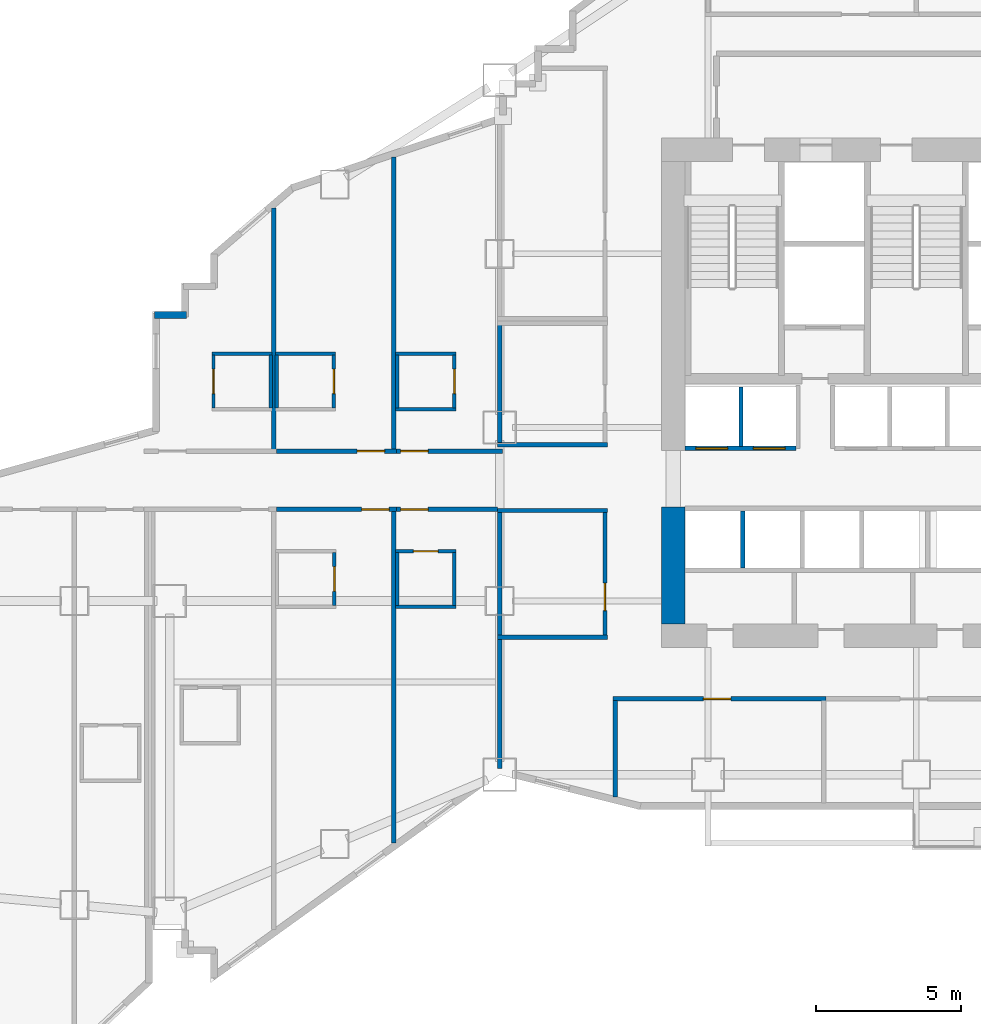
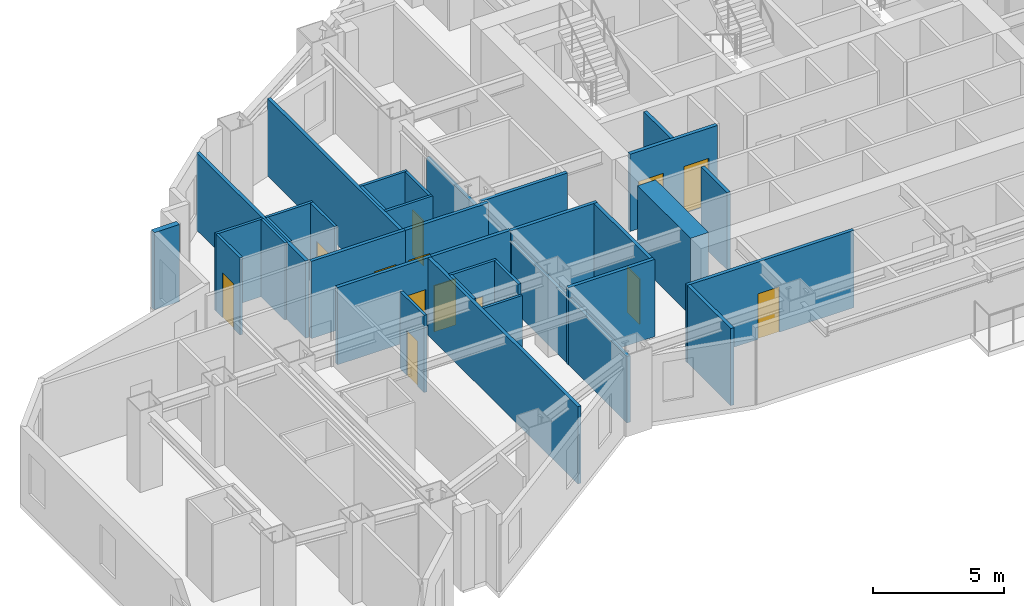
# One storey, part 8 of 17: 36 walls, 13 doors, 13 openings.
"""IFC4 building model written with IfcOpenShell, lengths in metres."""

from ifc_helpers import new_model, si_unit, direction, frame, frame_2d, origin, place, context, subcontext, project, spatial, rectangle, extrude, material, layer, layer_set, type_object, element, fill, save


model = new_model("IFC4")

# Units and contexts
model_context = context("Model", 3, precision=1e-05, world=origin(), true_north=direction((0.0, 1.0)))
body_context = subcontext(model_context, "Body", "Model", "MODEL_VIEW")
ifc_project = project(units=[si_unit("LENGTHUNIT", "METRE"), si_unit("AREAUNIT", "SQUARE_METRE"), si_unit("VOLUMEUNIT", "CUBIC_METRE"), si_unit("PLANEANGLEUNIT", "RADIAN"), si_unit("MASSUNIT", "GRAM", prefix="KILO")], contexts=[model_context])

# Site, building, storey
site_placement = place(None, origin())
site = spatial("IfcSite", under=ifc_project, at=site_placement, CompositionType="ELEMENT")
building_placement = place(site_placement, origin())
building = spatial("IfcBuilding", under=site, at=building_placement, Name="Haolan Belvedere Tower", CompositionType="ELEMENT")
storey_placement = place(building_placement, frame((0.0, 0.0, 81.800048828125)))
storey = spatial("IfcBuildingStorey", under=building, at=storey_placement, Name="L20", CompositionType="ELEMENT", Elevation=81.800048828125)

# Walls
ifc_material_1 = material(Name="Concrete C70/85", Category="concrete")
ifc_layer_1 = layer(ifc_material_1, 0.800048828125, Name="Concrete C70/85")
ifc_layer_set_1 = layer_set([ifc_layer_1], Name="Concrete C70/85")
wall_type_1 = type_object("IfcWallType", Name="WL-CORE-800", PredefinedType="SHEAR", material=ifc_layer_set_1)
wall_1_placement = place(storey_placement, frame((30.0, 26.800048828125, 0.0), z_axis=(0.0, 0.0, 1.0), x_axis=(0.0, 1.0, 0.0)))
element("IfcWall", 1, at=wall_1_placement, inside=storey, type_object=wall_type_1, Name="L20 central core shear wall WS", PredefinedType="SHEAR", context=body_context, shape_type="SweptSolid", body=[
    extrude(rectangle(XDim=4.050048828125, YDim=0.800048828125, at=frame_2d((2.02490234375, 0.0))), origin(), (0.0, 0.0, 1.0), 3.599853515625),
])
ifc_material_2 = material(Name="Precast concrete C40/50", Category="concrete")
ifc_layer_2 = layer(ifc_material_2, 0.239990234375, Name="Precast concrete C40/50")
ifc_layer_set_2 = layer_set([ifc_layer_2], Name="Precast concrete C40/50")
wall_type_2 = type_object("IfcWallType", Name="WL-EXT-240", PredefinedType="SOLIDWALL", material=ifc_layer_set_2)
wall_2_placement = place(storey_placement, frame((13.175048828125, 37.47998046875, 0.0), z_axis=(0.0, 0.0, 1.0), x_axis=(-1.0, 0.0, 0.0)))
element("IfcWall", 2, at=wall_2_placement, inside=storey, type_object=wall_type_2, Name="L20 pale-metal exterior spandrel wall 55.1", PredefinedType="SOLIDWALL", context=body_context, shape_type="SweptSolid", body=[
    extrude(rectangle(XDim=1.110107421875, YDim=0.239990234375, at=frame_2d((0.55517578125, 0.0))), origin(), (0.0, 0.0, 1.0), 3.599853515625),
])
ifc_material_3 = material(Name="Double gypsum acoustic stud partition", Category="masonry")
ifc_layer_3 = layer(ifc_material_3, 0.14990234375, Name="Double gypsum acoustic stud partition")
ifc_layer_set_3 = layer_set([ifc_layer_3], Name="Double gypsum acoustic stud partition")
wall_type_3 = type_object("IfcWallType", Name="WL-PART-150", PredefinedType="PARTITIONING", material=ifc_layer_set_3)
wall_3_placement = place(storey_placement, frame((23.919921875, 33.0, 0.0), z_axis=(0.0, 0.0, 1.0), x_axis=(1.0, 0.0, 0.0)))
element("IfcWall", 3, at=wall_3_placement, inside=storey, type_object=wall_type_3, Name="L20 interior partition IW-L20-HSK-S", PredefinedType="PARTITIONING", context=body_context, shape_type="SweptSolid", body=[
    extrude(rectangle(XDim=3.800048828125, YDim=0.14990234375, at=frame_2d((1.89990234375, 0.0))), origin(), (0.0, 0.0, 1.0), 3.599853515625),
])
wall_4_placement = place(storey_placement, frame((24.0, 33.06005859375, 0.0), z_axis=(0.0, 0.0, 1.0), x_axis=(0.0, 1.0, 0.0)))
element("IfcWall", 4, at=wall_4_placement, inside=storey, type_object=wall_type_3, Name="L20 interior partition IW-L20-HSK-W", PredefinedType="PARTITIONING", context=body_context, shape_type="SweptSolid", body=[
    extrude(rectangle(XDim=4.079833984375, YDim=0.14990234375, at=frame_2d((2.0400390625, 0.0))), origin(), (0.0, 0.0, 1.0), 3.096923828125),
])
for number, where, z_axis, x_axis, name in (
    (5, (23.919921875, 30.72998046875, 0.0), (0.0, 0.0, 1.0), (1.0, 0.0, 0.0), "L20 interior partition IW-L20-PKTW-N"),
    (6, (23.919921875, 26.35009765625, 0.0), (0.0, 0.0, 1.0), (1.0, 0.0, 0.0), "L20 interior partition IW-L20-PKTW-S"),
):
    element("IfcWall", number, at=place(storey_placement, frame(where, z_axis=z_axis, x_axis=x_axis)), inside=storey, type_object=wall_type_3, Name=name, PredefinedType="PARTITIONING", context=body_context, shape_type="SweptSolid", body=[
        extrude(rectangle(XDim=3.800048828125, YDim=0.14990234375, at=frame_2d((1.89990234375, 0.0))), origin(), (0.0, 0.0, 1.0), 3.599853515625),
    ])
wall_5_placement = place(storey_placement, frame((24.0, 26.409912109375, 0.0), z_axis=(0.0, 0.0, 1.0), x_axis=(0.0, 1.0, 0.0)))
element("IfcWall", 7, at=wall_5_placement, inside=storey, type_object=wall_type_3, Name="L20 interior partition IW-L20-PKTW-W", PredefinedType="PARTITIONING", context=body_context, shape_type="SweptSolid", body=[
    extrude(rectangle(XDim=4.260009765625, YDim=0.14990234375, at=frame_2d((2.1298828125, 0.0))), origin(), (0.0, 0.0, 1.0), 3.096923828125),
])

# Wall, opening, door
wall_6_placement = place(storey_placement, frame((27.639892578125, 26.409912109375, 0.0), z_axis=(0.0, 0.0, 1.0), x_axis=(0.0, 1.0, 0.0)))
wall_6 = element("IfcWall", 8, at=wall_6_placement, inside=storey, type_object=wall_type_3, Name="L20 interior partition IW-L20-PKTW-E", PredefinedType="PARTITIONING", context=body_context, shape_type="SweptSolid", body=[
    extrude(rectangle(XDim=4.260009765625, YDim=0.14990234375, at=frame_2d((2.1298828125, 0.0))), origin(), (0.0, 0.0, 1.0), 3.599853515625),
])
opening_1_placement = place(wall_6_placement, frame((1.81005859375, 0.0, 0.0), z_axis=(0.0, 0.0, 1.0), x_axis=(-1.0, 0.0, 0.0)))
opening_1 = element("IfcOpeningElement", 9, at=opening_1_placement, cuts=wall_6, Name="Opening ID-03", PredefinedType="OPENING", context=body_context, shape_type="SweptSolid", body=[
    extrude(rectangle(XDim=0.949951171875, YDim=2.1201171875, at=frame_2d((0.47509765625, 1.06005859375))), frame((0.0, 0.0849609375, 0.0), z_axis=(0.0, -1.0, 0.0), x_axis=(1.0, 0.0, 0.0)), (0.0, 0.0, 1.0), 0.169921875),
])
ifc_material_4 = material(Name="Painted solid-core timber", Category="wood")
door_type_1 = type_object("IfcDoorType", Name="DR-INT-950", OperationType="NOTDEFINED", PredefinedType="DOOR", material=ifc_material_4)
door_1_placement = place(opening_1_placement, origin())
door_1 = element("IfcDoor", 10, at=door_1_placement, inside=storey, type_object=door_type_1, Name="L20 door ID-L20-PKTW", OperationType="SINGLE_SWING_LEFT", OverallHeight=2.1201171875, OverallWidth=0.949951171875, PredefinedType="DOOR", context=body_context, shape_type="SweptSolid", body=[
    extrude(rectangle(XDim=0.949951171875, YDim=2.1201171875, at=frame_2d((0.47509765625, 1.06005859375))), frame((0.0, 0.02490234375, 0.0), z_axis=(0.0, -1.0, 0.0), x_axis=(1.0, 0.0, 0.0)), (0.0, 0.0, 1.0), 0.050048828125),
])
fill(opening_1, door_1)

wall_7_placement = place(storey_placement, frame((27.919921875, 24.219970703125, 0.0), z_axis=(0.0, 0.0, 1.0), x_axis=(1.0, 0.0, 0.0)))
wall_7 = element("IfcWall", 11, at=wall_7_placement, inside=storey, type_object=wall_type_3, Name="L20 interior partition IW-L20-KS2-N", PredefinedType="PARTITIONING", context=body_context, shape_type="SweptSolid", body=[
    extrude(rectangle(XDim=7.360107421875, YDim=0.14990234375, at=frame_2d((3.68017578125, 0.0))), origin(), (0.0, 0.0, 1.0), 3.599853515625),
])
opening_2_placement = place(wall_7_placement, frame((4.074951171875, 0.0, 0.0), z_axis=(0.0, 0.0, 1.0), x_axis=(-1.0, 0.0, 0.0)))
opening_2 = element("IfcOpeningElement", 12, at=opening_2_placement, cuts=wall_7, Name="Opening ID-03", PredefinedType="OPENING", context=body_context, shape_type="SweptSolid", body=[
    extrude(rectangle(XDim=0.949951171875, YDim=2.1201171875, at=frame_2d((0.47509765625, 1.06005859375))), frame((0.0, 0.0849609375, 0.0), z_axis=(0.0, -1.0, 0.0), x_axis=(1.0, 0.0, 0.0)), (0.0, 0.0, 1.0), 0.169921875),
])
door_2_placement = place(opening_2_placement, origin())
door_2 = element("IfcDoor", 13, at=door_2_placement, inside=storey, type_object=door_type_1, Name="L20 door ID-L20-KS2", OperationType="SINGLE_SWING_LEFT", OverallHeight=2.1201171875, OverallWidth=0.949951171875, PredefinedType="DOOR", context=body_context, shape_type="SweptSolid", body=[
    extrude(rectangle(XDim=0.949951171875, YDim=2.1201171875, at=frame_2d((0.47509765625, 1.06005859375))), frame((0.0, 0.02490234375, 0.0), z_axis=(0.0, -1.0, 0.0), x_axis=(1.0, 0.0, 0.0)), (0.0, 0.0, 1.0), 0.050048828125),
])
fill(opening_2, door_2)

# Walls
wall_8_placement = place(storey_placement, frame((28.0, 20.83203125, 0.0), z_axis=(0.0, 0.0, 1.0), x_axis=(0.0, 1.0, 0.0)))
element("IfcWall", 14, at=wall_8_placement, inside=storey, type_object=wall_type_3, Name="L20 interior partition IW-L20-KS2-W", PredefinedType="PARTITIONING", context=body_context, shape_type="SweptSolid", body=[
    extrude(rectangle(XDim=3.327880859375, YDim=0.14990234375, at=frame_2d((1.6640625, 0.0))), origin(), (0.0, 0.0, 1.0), 3.599853515625),
])
wall_9_placement = place(storey_placement, frame((16.18994140625, 32.840087890625, 0.0), z_axis=(0.0, 0.0, 1.0), x_axis=(0.0, 1.0, 0.0)))
element("IfcWall", 15, at=wall_9_placement, inside=storey, type_object=wall_type_3, Name="L20 interior partition IW-L20-T2N1-E", PredefinedType="PARTITIONING", context=body_context, shape_type="SweptSolid", body=[
    extrude(rectangle(XDim=8.3408203125, YDim=0.14990234375, at=frame_2d((4.17041015625, 0.0))), origin(), (0.0, 0.0, 1.0), 3.599853515625),
])

# Wall, opening, door
wall_10_placement = place(storey_placement, frame((16.2919921875, 32.780029296875, 0.0), z_axis=(0.0, 0.0, 1.0), x_axis=(1.0, 0.0, 0.0)))
wall_10 = element("IfcWall", 16, at=wall_10_placement, inside=storey, type_object=wall_type_3, Name="L20 interior partition IW-L20-T2N2-S", PredefinedType="PARTITIONING", context=body_context, shape_type="SweptSolid", body=[
    extrude(rectangle(XDim=4.14794921875, YDim=0.14990234375, at=frame_2d((2.073974609375, 0.0))), origin(), (0.0, 0.0, 1.0), 3.599853515625),
])
opening_3_placement = place(wall_10_placement, frame((2.7841796875, 0.0, 0.0)))
opening_3 = element("IfcOpeningElement", 17, at=opening_3_placement, cuts=wall_10, Name="Opening ID-02", PredefinedType="OPENING", context=body_context, shape_type="SweptSolid", body=[
    extrude(rectangle(XDim=0.949951171875, YDim=2.14990234375, at=frame_2d((0.47509765625, 1.074951171875))), frame((0.0, 0.0849609375, 0.0), z_axis=(0.0, -1.0, 0.0), x_axis=(1.0, 0.0, 0.0)), (0.0, 0.0, 1.0), 0.169921875),
])
ifc_material_5 = material(Name="Acoustic oak veneer fire-rated timber", Category="wood")
door_type_2 = type_object("IfcDoorType", Name="DR-GUEST-950", OperationType="NOTDEFINED", PredefinedType="DOOR", material=ifc_material_5)
door_3_placement = place(opening_3_placement, origin())
door_3 = element("IfcDoor", 18, at=door_3_placement, inside=storey, type_object=door_type_2, Name="L20 door ID-L20-T2N2-ENT", OperationType="SINGLE_SWING_LEFT", OverallHeight=2.14990234375, OverallWidth=0.949951171875, PredefinedType="DOOR", context=body_context, shape_type="SweptSolid", body=[
    extrude(rectangle(XDim=0.949951171875, YDim=2.14990234375, at=frame_2d((0.47509765625, 1.074951171875))), frame((0.0, 0.02490234375, 0.0), z_axis=(0.0, -1.0, 0.0), x_axis=(1.0, 0.0, 0.0)), (0.0, 0.0, 1.0), 0.050048828125),
])
fill(opening_3, door_3)

# Wall
wall_11_placement = place(storey_placement, frame((20.340087890625, 32.840087890625, 0.0), z_axis=(0.0, 0.0, 1.0), x_axis=(0.0, 1.0, 0.0)))
element("IfcWall", 19, at=wall_11_placement, inside=storey, type_object=wall_type_3, Name="L20 interior partition IW-L20-T2N2-E", PredefinedType="PARTITIONING", context=body_context, shape_type="SweptSolid", body=[
    extrude(rectangle(XDim=10.102783203125, YDim=0.14990234375, at=frame_2d((5.05126953125, 0.0))), origin(), (0.0, 0.0, 1.0), 3.599853515625),
])

# Wall, opening, door
wall_12_placement = place(storey_placement, frame((20.44189453125, 32.780029296875, 0.0), z_axis=(0.0, 0.0, 1.0), x_axis=(1.0, 0.0, 0.0)))
wall_12 = element("IfcWall", 20, at=wall_12_placement, inside=storey, type_object=wall_type_3, Name="L20 interior partition IW-L20-T2N3-S", PredefinedType="PARTITIONING", context=body_context, shape_type="SweptSolid", body=[
    extrude(rectangle(XDim=3.658203125, YDim=0.14990234375, at=frame_2d((1.8291015625, 0.0))), origin(), (0.0, 0.0, 1.0), 3.599853515625),
])
opening_4_placement = place(wall_12_placement, frame((0.139892578125, 0.0, 0.0)))
opening_4 = element("IfcOpeningElement", 21, at=opening_4_placement, cuts=wall_12, Name="Opening ID-02", PredefinedType="OPENING", context=body_context, shape_type="SweptSolid", body=[
    extrude(rectangle(XDim=0.949951171875, YDim=2.14990234375, at=frame_2d((0.47509765625, 1.074951171875))), frame((0.0, 0.0849609375, 0.0), z_axis=(0.0, -1.0, 0.0), x_axis=(1.0, 0.0, 0.0)), (0.0, 0.0, 1.0), 0.169921875),
])
door_4_placement = place(opening_4_placement, origin())
door_4 = element("IfcDoor", 22, at=door_4_placement, inside=storey, type_object=door_type_2, Name="L20 door ID-L20-T2N3-ENT", OperationType="SINGLE_SWING_RIGHT", OverallHeight=2.14990234375, OverallWidth=0.949951171875, PredefinedType="DOOR", context=body_context, shape_type="SweptSolid", body=[
    extrude(rectangle(XDim=0.949951171875, YDim=2.14990234375, at=frame_2d((0.47509765625, 1.074951171875))), frame((0.0, 0.02490234375, 0.0), z_axis=(0.0, -1.0, 0.0), x_axis=(1.0, 0.0, 0.0)), (0.0, 0.0, 1.0), 0.050048828125),
])
fill(opening_4, door_4)

wall_13_placement = place(storey_placement, frame((16.2919921875, 30.77001953125, 0.0), z_axis=(0.0, 0.0, 1.0), x_axis=(1.0, 0.0, 0.0)))
wall_13 = element("IfcWall", 23, at=wall_13_placement, inside=storey, type_object=wall_type_3, Name="L20 interior partition IW-L20-T2S2-N", PredefinedType="PARTITIONING", context=body_context, shape_type="SweptSolid", body=[
    extrude(rectangle(XDim=4.14794921875, YDim=0.14990234375, at=frame_2d((2.073974609375, 0.0))), origin(), (0.0, 0.0, 1.0), 3.599853515625),
])
opening_5_placement = place(wall_13_placement, frame((3.88525390625, 0.0, 0.0), z_axis=(0.0, 0.0, 1.0), x_axis=(-1.0, 0.0, 0.0)))
opening_5 = element("IfcOpeningElement", 24, at=opening_5_placement, cuts=wall_13, Name="Opening ID-02", PredefinedType="OPENING", context=body_context, shape_type="SweptSolid", body=[
    extrude(rectangle(XDim=0.949951171875, YDim=2.14990234375, at=frame_2d((0.47509765625, 1.074951171875))), frame((0.0, 0.0849609375, 0.0), z_axis=(0.0, -1.0, 0.0), x_axis=(1.0, 0.0, 0.0)), (0.0, 0.0, 1.0), 0.169921875),
])
door_5_placement = place(opening_5_placement, origin())
door_5 = element("IfcDoor", 25, at=door_5_placement, inside=storey, type_object=door_type_2, Name="L20 door ID-L20-T2S2-ENT", OperationType="SINGLE_SWING_RIGHT", OverallHeight=2.14990234375, OverallWidth=0.949951171875, PredefinedType="DOOR", context=body_context, shape_type="SweptSolid", body=[
    extrude(rectangle(XDim=0.949951171875, YDim=2.14990234375, at=frame_2d((0.47509765625, 1.074951171875))), frame((0.0, 0.02490234375, 0.0), z_axis=(0.0, -1.0, 0.0), x_axis=(1.0, 0.0, 0.0)), (0.0, 0.0, 1.0), 0.050048828125),
])
fill(opening_5, door_5)

# Wall
wall_14_placement = place(storey_placement, frame((20.340087890625, 19.241943359375, 0.0), z_axis=(0.0, 0.0, 1.0), x_axis=(0.0, 1.0, 0.0)))
element("IfcWall", 26, at=wall_14_placement, inside=storey, type_object=wall_type_3, Name="L20 interior partition IW-L20-T2S2-E", PredefinedType="PARTITIONING", context=body_context, shape_type="SweptSolid", body=[
    extrude(rectangle(XDim=11.468017578125, YDim=0.14990234375, at=frame_2d((5.73388671875, 0.0))), origin(), (0.0, 0.0, 1.0), 3.599853515625),
])

# Wall, opening, door
wall_15_placement = place(storey_placement, frame((20.44189453125, 30.77001953125, 0.0), z_axis=(0.0, 0.0, 1.0), x_axis=(1.0, 0.0, 0.0)))
wall_15 = element("IfcWall", 27, at=wall_15_placement, inside=storey, type_object=wall_type_3, Name="L20 interior partition IW-L20-T2S3-N", PredefinedType="PARTITIONING", context=body_context, shape_type="SweptSolid", body=[
    extrude(rectangle(XDim=3.47607421875, YDim=0.14990234375, at=frame_2d((1.738037109375, 0.0))), origin(), (0.0, 0.0, 1.0), 3.599853515625),
])
opening_6_placement = place(wall_15_placement, frame((1.08984375, 0.0, 0.0), z_axis=(0.0, 0.0, 1.0), x_axis=(-1.0, 0.0, 0.0)))
opening_6 = element("IfcOpeningElement", 28, at=opening_6_placement, cuts=wall_15, Name="Opening ID-02", PredefinedType="OPENING", context=body_context, shape_type="SweptSolid", body=[
    extrude(rectangle(XDim=0.949951171875, YDim=2.14990234375, at=frame_2d((0.47509765625, 1.074951171875))), frame((0.0, 0.0849609375, 0.0), z_axis=(0.0, -1.0, 0.0), x_axis=(1.0, 0.0, 0.0)), (0.0, 0.0, 1.0), 0.169921875),
])
door_6_placement = place(opening_6_placement, origin())
door_6 = element("IfcDoor", 29, at=door_6_placement, inside=storey, type_object=door_type_2, Name="L20 door ID-L20-T2S3-ENT", OperationType="SINGLE_SWING_LEFT", OverallHeight=2.14990234375, OverallWidth=0.949951171875, PredefinedType="DOOR", context=body_context, shape_type="SweptSolid", body=[
    extrude(rectangle(XDim=0.949951171875, YDim=2.14990234375, at=frame_2d((0.47509765625, 1.074951171875))), frame((0.0, 0.02490234375, 0.0), z_axis=(0.0, -1.0, 0.0), x_axis=(1.0, 0.0, 0.0)), (0.0, 0.0, 1.0), 0.050048828125),
])
fill(opening_6, door_6)

# Wall
wall_16_placement = place(storey_placement, frame((24.0, 21.818603515625, 0.0), z_axis=(0.0, 0.0, 1.0), x_axis=(0.0, 1.0, 0.0)))
element("IfcWall", 30, at=wall_16_placement, inside=storey, type_object=wall_type_3, Name="L20 interior partition IW-L20-T2S3-E", PredefinedType="PARTITIONING", context=body_context, shape_type="SweptSolid", body=[
    extrude(rectangle(XDim=4.471435546875, YDim=0.14990234375, at=frame_2d((2.23583984375, 0.0))), origin(), (0.0, 0.0, 1.0), 3.096923828125),
])

# Wall, openings, doors
ifc_material_6 = material(Name="Gypsum fire shaftwall assembly", Category="masonry")
ifc_layer_4 = layer(ifc_material_6, 0.1650390625, Name="Gypsum fire shaftwall assembly")
ifc_layer_set_4 = layer_set([ifc_layer_4], Name="Gypsum fire shaftwall assembly")
wall_type_4 = type_object("IfcWallType", Name="WL-SHAFT-160", PredefinedType="SOLIDWALL", material=ifc_layer_set_4)
wall_17_placement = place(storey_placement, frame((30.39990234375, 32.8798828125, 0.0), z_axis=(0.0, 0.0, 1.0), x_axis=(1.0, 0.0, 0.0)))
wall_17 = element("IfcWall", 31, at=wall_17_placement, inside=storey, type_object=wall_type_4, Name="L20 interior partition IW-L20-ROW-PN1", PredefinedType="SOLIDWALL", context=body_context, shape_type="SweptSolid", body=[
    extrude(rectangle(XDim=3.85009765625, YDim=0.159912109375, at=frame_2d((1.925048828125, 0.0))), origin(), (0.0, 0.0, 1.0), 3.599853515625),
])
opening_7_placement = place(wall_17_placement, frame((1.47998046875, 0.0, 0.0), z_axis=(0.0, 0.0, 1.0), x_axis=(-1.0, 0.0, 0.0)))
opening_7 = element("IfcOpeningElement", 32, at=opening_7_placement, cuts=wall_17, Name="Opening LD-01", PredefinedType="OPENING", context=body_context, shape_type="SweptSolid", body=[
    extrude(rectangle(XDim=1.10009765625, YDim=2.199951171875, at=frame_2d((0.550048828125, 1.10009765625))), frame((0.0, 0.08984375, 0.0), z_axis=(0.0, -1.0, 0.0), x_axis=(1.0, 0.0, 0.0)), (0.0, 0.0, 1.0), 0.179931640625),
])
opening_8_placement = place(wall_17_placement, frame((3.47021484375, 0.0, 0.0), z_axis=(0.0, 0.0, 1.0), x_axis=(-1.0, 0.0, 0.0)))
opening_8 = element("IfcOpeningElement", 33, at=opening_8_placement, cuts=wall_17, Name="Opening LD-01", PredefinedType="OPENING", context=body_context, shape_type="SweptSolid", body=[
    extrude(rectangle(XDim=1.10009765625, YDim=2.199951171875, at=frame_2d((0.550048828125, 1.10009765625))), frame((0.0, 0.08984375, 0.0), z_axis=(0.0, -1.0, 0.0), x_axis=(1.0, 0.0, 0.0)), (0.0, 0.0, 1.0), 0.179931640625),
])
ifc_material_7 = material(Name="Brushed champagne stainless steel 316L", Category="steel")
door_type_3 = type_object("IfcDoorType", Name="DR-LIFT-1100", OperationType="SLIDING_TO_LEFT", PredefinedType="DOOR", material=ifc_material_7)
door_7_placement = place(opening_7_placement, origin())
door_7 = element("IfcDoor", 34, at=door_7_placement, inside=storey, type_object=door_type_3, Name="L20 door ID-L20-LD-PL1", OperationType="SLIDING_TO_LEFT", OverallHeight=2.199951171875, OverallWidth=1.10009765625, PredefinedType="DOOR", context=body_context, shape_type="SweptSolid", body=[
    extrude(rectangle(XDim=1.10009765625, YDim=2.199951171875, at=frame_2d((0.550048828125, 1.10009765625))), frame((0.0, 0.02490234375, 0.0), z_axis=(0.0, -1.0, 0.0), x_axis=(1.0, 0.0, 0.0)), (0.0, 0.0, 1.0), 0.050048828125),
])
fill(opening_7, door_7)
door_8_placement = place(opening_8_placement, origin())
door_8 = element("IfcDoor", 35, at=door_8_placement, inside=storey, type_object=door_type_3, Name="L20 door ID-L20-LD-PL2", OperationType="SLIDING_TO_LEFT", OverallHeight=2.199951171875, OverallWidth=1.10009765625, PredefinedType="DOOR", context=body_context, shape_type="SweptSolid", body=[
    extrude(rectangle(XDim=1.10009765625, YDim=2.199951171875, at=frame_2d((0.550048828125, 1.10009765625))), frame((0.0, 0.02490234375, 0.0), z_axis=(0.0, -1.0, 0.0), x_axis=(1.0, 0.0, 0.0)), (0.0, 0.0, 1.0), 0.050048828125),
])
fill(opening_8, door_8)

# Walls
wall_18_placement = place(storey_placement, frame((32.340087890625, 32.949951171875, 0.0), z_axis=(0.0, 0.0, 1.0), x_axis=(0.0, 1.0, 0.0)))
element("IfcWall", 36, at=wall_18_placement, inside=storey, type_object=wall_type_4, Name="L20 interior partition IW-L20-DIV-PL1", PredefinedType="SOLIDWALL", context=body_context, shape_type="SweptSolid", body=[
    extrude(rectangle(XDim=2.050048828125, YDim=0.14990234375, at=frame_2d((1.02490234375, 0.0))), origin(), (0.0, 0.0, 1.0), 3.599853515625),
])
wall_19_placement = place(storey_placement, frame((32.39990234375, 28.735107421875, 0.0), z_axis=(0.0, 0.0, 1.0), x_axis=(0.0, 1.0, 0.0)))
element("IfcWall", 37, at=wall_19_placement, inside=storey, type_object=wall_type_4, Name="L20 interior partition IW-L20-DIV-PM1", PredefinedType="SOLIDWALL", context=body_context, shape_type="SweptSolid", body=[
    extrude(rectangle(XDim=1.98486328125, YDim=0.14990234375, at=frame_2d((0.992431640625, 0.0))), origin(), (0.0, 0.0, 1.0), 3.599853515625),
])
ifc_material_8 = material(Name="Moisture-resistant gypsum tile partition", Category="masonry")
ifc_layer_5 = layer(ifc_material_8, 0.1201171875, Name="Moisture-resistant gypsum tile partition")
ifc_layer_set_5 = layer_set([ifc_layer_5], Name="Moisture-resistant gypsum tile partition")
wall_type_5 = type_object("IfcWallType", Name="WL-WET-120", PredefinedType="PARTITIONING", material=ifc_layer_set_5)
wall_20_placement = place(storey_placement, frame((14.050048828125, 36.14990234375, 0.0), z_axis=(0.0, 0.0, 1.0), x_axis=(1.0, 0.0, 0.0)))
element("IfcWall", 38, at=wall_20_placement, inside=storey, type_object=wall_type_5, Name="L20 interior partition IW-L20-T2N1-BN", PredefinedType="PARTITIONING", context=body_context, shape_type="SweptSolid", body=[
    extrude(rectangle(XDim=2.079833984375, YDim=0.1201171875, at=frame_2d((1.0400390625, 0.0))), origin(), (0.0, 0.0, 1.0), 3.599853515625),
])

# Wall, opening, door
wall_21_placement = place(storey_placement, frame((14.110107421875, 34.27490234375, 0.0), z_axis=(0.0, 0.0, 1.0), x_axis=(0.0, 1.0, 0.0)))
wall_21 = element("IfcWall", 39, at=wall_21_placement, inside=storey, type_object=wall_type_5, Name="L20 interior partition IW-L20-T2N1-BW", PredefinedType="PARTITIONING", context=body_context, shape_type="SweptSolid", body=[
    extrude(rectangle(XDim=1.830078125, YDim=0.1201171875, at=frame_2d((0.9150390625, 0.0))), origin(), (0.0, 0.0, 1.0), 3.599853515625),
])
opening_9_placement = place(wall_21_placement, frame((1.340087890625, 0.0, 0.0), z_axis=(0.0, 0.0, 1.0), x_axis=(-1.0, 0.0, 0.0)))
opening_9 = element("IfcOpeningElement", 40, at=opening_9_placement, cuts=wall_21, Name="Opening ID-05", PredefinedType="OPENING", context=body_context, shape_type="SweptSolid", body=[
    extrude(rectangle(XDim=0.85009765625, YDim=2.10009765625, at=frame_2d((0.425048828125, 1.050048828125))), frame((0.0, 0.070068359375, 0.0), z_axis=(0.0, -1.0, 0.0), x_axis=(1.0, 0.0, 0.0)), (0.0, 0.0, 1.0), 0.14013671875),
])
ifc_material_9 = material(Name="Moisture-resistant lacquered timber", Category="wood")
door_type_4 = type_object("IfcDoorType", Name="DR-BATH-850", OperationType="NOTDEFINED", PredefinedType="DOOR", material=ifc_material_9)
door_9_placement = place(opening_9_placement, origin())
door_9 = element("IfcDoor", 41, at=door_9_placement, inside=storey, type_object=door_type_4, Name="L20 door ID-L20-T2N1-BATH", OperationType="SINGLE_SWING_LEFT", OverallHeight=2.10009765625, OverallWidth=0.85009765625, PredefinedType="DOOR", context=body_context, shape_type="SweptSolid", body=[
    extrude(rectangle(XDim=0.85009765625, YDim=2.10009765625, at=frame_2d((0.425048828125, 1.050048828125))), frame((0.0, 0.02490234375, 0.0), z_axis=(0.0, -1.0, 0.0), x_axis=(1.0, 0.0, 0.0)), (0.0, 0.0, 1.0), 0.050048828125),
])
fill(opening_9, door_9)

# Walls
wall_22_placement = place(storey_placement, frame((16.090087890625, 34.27490234375, 0.0), z_axis=(0.0, 0.0, 1.0), x_axis=(0.0, 1.0, 0.0)))
element("IfcWall", 42, at=wall_22_placement, inside=storey, type_object=wall_type_5, Name="L20 interior partition IW-L20-T2N1-BE", PredefinedType="PARTITIONING", context=body_context, shape_type="SweptSolid", body=[
    extrude(rectangle(XDim=1.830078125, YDim=0.1201171875, at=frame_2d((0.9150390625, 0.0))), origin(), (0.0, 0.0, 1.0), 3.599853515625),
])
wall_23_placement = place(storey_placement, frame((16.25, 36.14990234375, 0.0), z_axis=(0.0, 0.0, 1.0), x_axis=(1.0, 0.0, 0.0)))
element("IfcWall", 43, at=wall_23_placement, inside=storey, type_object=wall_type_5, Name="L20 interior partition IW-L20-T2N2-BN", PredefinedType="PARTITIONING", context=body_context, shape_type="SweptSolid", body=[
    extrude(rectangle(XDim=2.080078125, YDim=0.1201171875, at=frame_2d((1.0400390625, 0.0))), origin(), (0.0, 0.0, 1.0), 3.599853515625),
])
wall_24_placement = place(storey_placement, frame((16.2900390625, 34.27490234375, 0.0), z_axis=(0.0, 0.0, 1.0), x_axis=(0.0, 1.0, 0.0)))
element("IfcWall", 44, at=wall_24_placement, inside=storey, type_object=wall_type_5, Name="L20 interior partition IW-L20-T2N2-BW", PredefinedType="PARTITIONING", context=body_context, shape_type="SweptSolid", body=[
    extrude(rectangle(XDim=1.830078125, YDim=0.1201171875, at=frame_2d((0.9150390625, 0.0))), origin(), (0.0, 0.0, 1.0), 3.599853515625),
])

# Wall, opening, door
wall_25_placement = place(storey_placement, frame((18.27001953125, 34.27490234375, 0.0), z_axis=(0.0, 0.0, 1.0), x_axis=(0.0, 1.0, 0.0)))
wall_25 = element("IfcWall", 45, at=wall_25_placement, inside=storey, type_object=wall_type_5, Name="L20 interior partition IW-L20-T2N2-BE", PredefinedType="PARTITIONING", context=body_context, shape_type="SweptSolid", body=[
    extrude(rectangle(XDim=1.830078125, YDim=0.1201171875, at=frame_2d((0.9150390625, 0.0))), origin(), (0.0, 0.0, 1.0), 3.599853515625),
])
opening_10_placement = place(wall_25_placement, frame((0.489990234375, 0.0, 0.0)))
opening_10 = element("IfcOpeningElement", 46, at=opening_10_placement, cuts=wall_25, Name="Opening ID-05", PredefinedType="OPENING", context=body_context, shape_type="SweptSolid", body=[
    extrude(rectangle(XDim=0.85009765625, YDim=2.10009765625, at=frame_2d((0.425048828125, 1.050048828125))), frame((0.0, 0.070068359375, 0.0), z_axis=(0.0, -1.0, 0.0), x_axis=(1.0, 0.0, 0.0)), (0.0, 0.0, 1.0), 0.14013671875),
])
door_10_placement = place(opening_10_placement, origin())
door_10 = element("IfcDoor", 47, at=door_10_placement, inside=storey, type_object=door_type_4, Name="L20 door ID-L20-T2N2-BATH", OperationType="SINGLE_SWING_RIGHT", OverallHeight=2.10009765625, OverallWidth=0.85009765625, PredefinedType="DOOR", context=body_context, shape_type="SweptSolid", body=[
    extrude(rectangle(XDim=0.85009765625, YDim=2.10009765625, at=frame_2d((0.425048828125, 1.050048828125))), frame((0.0, 0.02490234375, 0.0), z_axis=(0.0, -1.0, 0.0), x_axis=(1.0, 0.0, 0.0)), (0.0, 0.0, 1.0), 0.050048828125),
])
fill(opening_10, door_10)

# Walls
for number, where, z_axis, x_axis, name in (
    (48, (20.39990234375, 36.14990234375, 0.0), (0.0, 0.0, 1.0), (1.0, 0.0, 0.0), "L20 interior partition IW-L20-T2N3-BN"),
    (49, (20.39990234375, 34.22998046875, 0.0), (0.0, 0.0, 1.0), (1.0, 0.0, 0.0), "L20 interior partition IW-L20-T2N3-BS"),
):
    element("IfcWall", number, at=place(storey_placement, frame(where, z_axis=z_axis, x_axis=x_axis)), inside=storey, type_object=wall_type_5, Name=name, PredefinedType="PARTITIONING", context=body_context, shape_type="SweptSolid", body=[
        extrude(rectangle(XDim=2.09423828125, YDim=0.1201171875, at=frame_2d((1.047119140625, 0.0))), origin(), (0.0, 0.0, 1.0), 3.599853515625),
    ])
wall_26_placement = place(storey_placement, frame((20.4541015625, 34.27490234375, 0.0), z_axis=(0.0, 0.0, 1.0), x_axis=(0.0, 1.0, 0.0)))
element("IfcWall", 50, at=wall_26_placement, inside=storey, type_object=wall_type_5, Name="L20 interior partition IW-L20-T2N3-BW", PredefinedType="PARTITIONING", context=body_context, shape_type="SweptSolid", body=[
    extrude(rectangle(XDim=1.830078125, YDim=0.1201171875, at=frame_2d((0.9150390625, 0.0))), origin(), (0.0, 0.0, 1.0), 3.599853515625),
])

# Wall, opening, door
wall_27_placement = place(storey_placement, frame((22.43408203125, 34.27490234375, 0.0), z_axis=(0.0, 0.0, 1.0), x_axis=(0.0, 1.0, 0.0)))
wall_27 = element("IfcWall", 51, at=wall_27_placement, inside=storey, type_object=wall_type_5, Name="L20 interior partition IW-L20-T2N3-BE", PredefinedType="PARTITIONING", context=body_context, shape_type="SweptSolid", body=[
    extrude(rectangle(XDim=1.830078125, YDim=0.1201171875, at=frame_2d((0.9150390625, 0.0))), origin(), (0.0, 0.0, 1.0), 3.599853515625),
])
opening_11_placement = place(wall_27_placement, frame((0.489990234375, 0.0, 0.0)))
opening_11 = element("IfcOpeningElement", 52, at=opening_11_placement, cuts=wall_27, Name="Opening ID-05", PredefinedType="OPENING", context=body_context, shape_type="SweptSolid", body=[
    extrude(rectangle(XDim=0.85009765625, YDim=2.10009765625, at=frame_2d((0.425048828125, 1.050048828125))), frame((0.0, 0.070068359375, 0.0), z_axis=(0.0, -1.0, 0.0), x_axis=(1.0, 0.0, 0.0)), (0.0, 0.0, 1.0), 0.14013671875),
])
door_11_placement = place(opening_11_placement, origin())
door_11 = element("IfcDoor", 53, at=door_11_placement, inside=storey, type_object=door_type_4, Name="L20 door ID-L20-T2N3-BATH", OperationType="SINGLE_SWING_LEFT", OverallHeight=2.10009765625, OverallWidth=0.85009765625, PredefinedType="DOOR", context=body_context, shape_type="SweptSolid", body=[
    extrude(rectangle(XDim=0.85009765625, YDim=2.10009765625, at=frame_2d((0.425048828125, 1.050048828125))), frame((0.0, 0.02490234375, 0.0), z_axis=(0.0, -1.0, 0.0), x_axis=(1.0, 0.0, 0.0)), (0.0, 0.0, 1.0), 0.050048828125),
])
fill(opening_11, door_11)

wall_28_placement = place(storey_placement, frame((18.284912109375, 27.445068359375, 0.0), z_axis=(0.0, 0.0, 1.0), x_axis=(0.0, 1.0, 0.0)))
wall_28 = element("IfcWall", 54, at=wall_28_placement, inside=storey, type_object=wall_type_5, Name="L20 interior partition IW-L20-T2S2-BE", PredefinedType="PARTITIONING", context=body_context, shape_type="SweptSolid", body=[
    extrude(rectangle(XDim=1.829833984375, YDim=0.1201171875, at=frame_2d((0.9150390625, 0.0))), origin(), (0.0, 0.0, 1.0), 3.599853515625),
])
opening_12_placement = place(wall_28_placement, frame((0.489990234375, 0.0, 0.0)))
opening_12 = element("IfcOpeningElement", 55, at=opening_12_placement, cuts=wall_28, Name="Opening ID-05", PredefinedType="OPENING", context=body_context, shape_type="SweptSolid", body=[
    extrude(rectangle(XDim=0.85009765625, YDim=2.10009765625, at=frame_2d((0.425048828125, 1.050048828125))), frame((0.0, 0.070068359375, 0.0), z_axis=(0.0, -1.0, 0.0), x_axis=(1.0, 0.0, 0.0)), (0.0, 0.0, 1.0), 0.14013671875),
])
door_12_placement = place(opening_12_placement, origin())
door_12 = element("IfcDoor", 56, at=door_12_placement, inside=storey, type_object=door_type_4, Name="L20 door ID-L20-T2S2-BATH", OperationType="SINGLE_SWING_LEFT", OverallHeight=2.10009765625, OverallWidth=0.85009765625, PredefinedType="DOOR", context=body_context, shape_type="SweptSolid", body=[
    extrude(rectangle(XDim=0.85009765625, YDim=2.10009765625, at=frame_2d((0.425048828125, 1.050048828125))), frame((0.0, 0.02490234375, 0.0), z_axis=(0.0, -1.0, 0.0), x_axis=(1.0, 0.0, 0.0)), (0.0, 0.0, 1.0), 0.050048828125),
])
fill(opening_12, door_12)

wall_29_placement = place(storey_placement, frame((20.39990234375, 29.320068359375, 0.0), z_axis=(0.0, 0.0, 1.0), x_axis=(1.0, 0.0, 0.0)))
wall_29 = element("IfcWall", 57, at=wall_29_placement, inside=storey, type_object=wall_type_5, Name="L20 interior partition IW-L20-T2S3-BN", PredefinedType="PARTITIONING", context=body_context, shape_type="SweptSolid", body=[
    extrude(rectangle(XDim=2.09521484375, YDim=0.1201171875, at=frame_2d((1.047607421875, 0.0))), origin(), (0.0, 0.0, 1.0), 3.599853515625),
])
opening_13_placement = place(wall_29_placement, frame((1.47021484375, 0.0, 0.0), z_axis=(0.0, 0.0, 1.0), x_axis=(-1.0, 0.0, 0.0)))
opening_13 = element("IfcOpeningElement", 58, at=opening_13_placement, cuts=wall_29, Name="Opening ID-05", PredefinedType="OPENING", context=body_context, shape_type="SweptSolid", body=[
    extrude(rectangle(XDim=0.85009765625, YDim=2.10009765625, at=frame_2d((0.425048828125, 1.050048828125))), frame((0.0, 0.070068359375, 0.0), z_axis=(0.0, -1.0, 0.0), x_axis=(1.0, 0.0, 0.0)), (0.0, 0.0, 1.0), 0.14013671875),
])
door_13_placement = place(opening_13_placement, origin())
door_13 = element("IfcDoor", 59, at=door_13_placement, inside=storey, type_object=door_type_4, Name="L20 door ID-L20-T2S3-BATH", OperationType="SINGLE_SWING_RIGHT", OverallHeight=2.10009765625, OverallWidth=0.85009765625, PredefinedType="DOOR", context=body_context, shape_type="SweptSolid", body=[
    extrude(rectangle(XDim=0.85009765625, YDim=2.10009765625, at=frame_2d((0.425048828125, 1.050048828125))), frame((0.0, 0.02490234375, 0.0), z_axis=(0.0, -1.0, 0.0), x_axis=(1.0, 0.0, 0.0)), (0.0, 0.0, 1.0), 0.050048828125),
])
fill(opening_13, door_13)

# Walls
wall_30_placement = place(storey_placement, frame((20.39990234375, 27.39990234375, 0.0), z_axis=(0.0, 0.0, 1.0), x_axis=(1.0, 0.0, 0.0)))
element("IfcWall", 60, at=wall_30_placement, inside=storey, type_object=wall_type_5, Name="L20 interior partition IW-L20-T2S3-BS", PredefinedType="PARTITIONING", context=body_context, shape_type="SweptSolid", body=[
    extrude(rectangle(XDim=2.09521484375, YDim=0.1201171875, at=frame_2d((1.047607421875, 0.0))), origin(), (0.0, 0.0, 1.0), 3.096923828125),
])
for number, where, z_axis, x_axis, name in (
    (61, (20.455078125, 27.445068359375, 0.0), (0.0, 0.0, 1.0), (0.0, 1.0, 0.0), "L20 interior partition IW-L20-T2S3-BW"),
    (62, (22.43505859375, 27.445068359375, 0.0), (0.0, 0.0, 1.0), (0.0, 1.0, 0.0), "L20 interior partition IW-L20-T2S3-BE"),
):
    element("IfcWall", number, at=place(storey_placement, frame(where, z_axis=z_axis, x_axis=x_axis)), inside=storey, type_object=wall_type_5, Name=name, PredefinedType="PARTITIONING", context=body_context, shape_type="SweptSolid", body=[
        extrude(rectangle(XDim=1.829833984375, YDim=0.1201171875, at=frame_2d((0.9150390625, 0.0))), origin(), (0.0, 0.0, 1.0), 3.599853515625),
    ])

save(model, "model.ifc")
